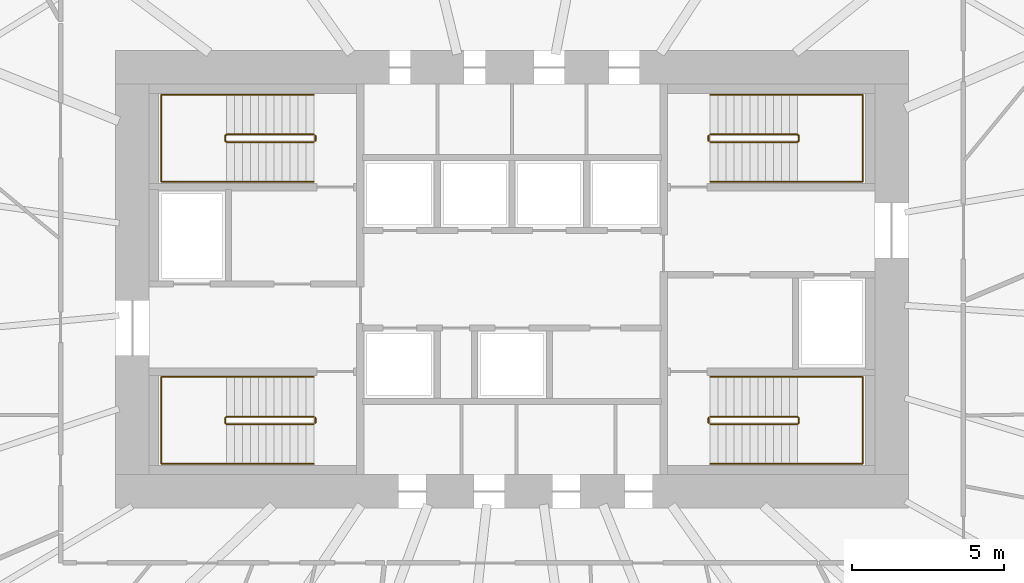
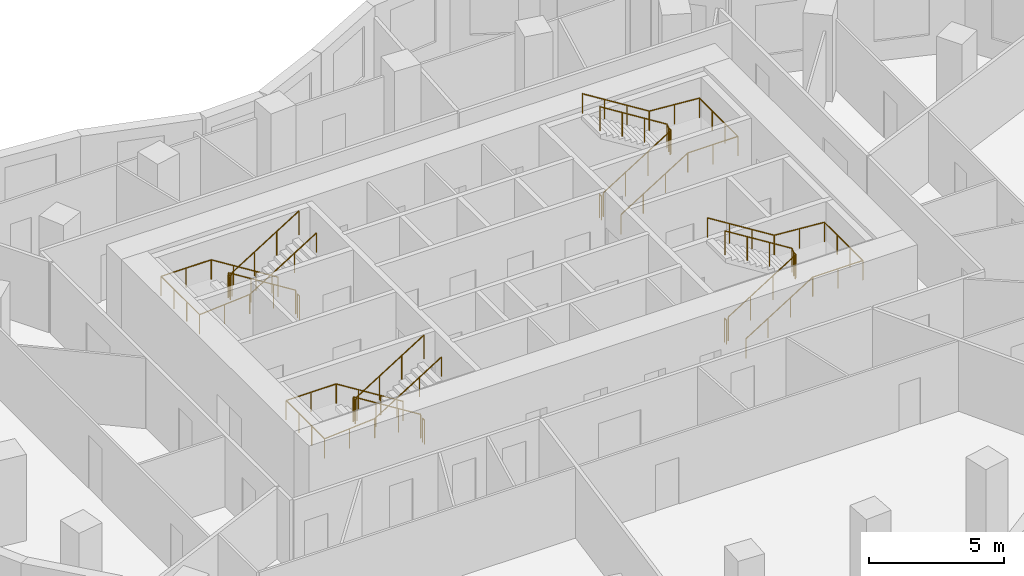
# One storey, part 9 of 9: 12 railings.
"""IFC4 building model written with IfcOpenShell, lengths in metres."""

from ifc_helpers import new_model, si_unit, direction, frame, origin, origin_2d, place, context, subcontext, project, spatial, circle, extrude, material, type_object, element, save


model = new_model("IFC4")

# Units and contexts
model_context = context("Model", 3, precision=1e-05, world=origin(), true_north=direction((0.0, 1.0)))
body_context = subcontext(model_context, "Body", "Model", "MODEL_VIEW")
ifc_project = project(units=[si_unit("LENGTHUNIT", "METRE"), si_unit("AREAUNIT", "SQUARE_METRE"), si_unit("VOLUMEUNIT", "CUBIC_METRE"), si_unit("PLANEANGLEUNIT", "RADIAN"), si_unit("MASSUNIT", "GRAM", prefix="KILO")], contexts=[model_context])

# Site, building, storey
site_placement = place(None, origin())
site = spatial("IfcSite", under=ifc_project, at=site_placement, CompositionType="ELEMENT")
building_placement = place(site_placement, origin())
building = spatial("IfcBuilding", under=site, at=building_placement, Name="Rubra Terraces Tower", CompositionType="ELEMENT")
storey_placement = place(building_placement, frame((0.0, 0.0, 138.300048828125)))
storey = spatial("IfcBuildingStorey", under=building, at=storey_placement, Name="L33", CompositionType="ELEMENT", Elevation=138.300048828125)

# Railings
ifc_material = material(Name="Stainless steel", Category="steel")
railing_type_1 = type_object("IfcRailingType", Name="Core stair guard 1100", PredefinedType="GUARDRAIL", material=ifc_material)
railing_1_placement = place(storey_placement, frame((-6.5, 0.0, 0.162353515625)))
element("IfcRailing", 1, at=railing_1_placement, inside=storey, type_object=railing_type_1, Name="L33 stair S1 guard 1", PredefinedType="GUARDRAIL", context=body_context, shape_type="SweptSolid", body=[
    extrude(circle(Radius=0.02392578125, at=origin_2d()), frame((0.0, 0.0, 1.076171875), z_axis=(-0.847994237388, 0.0, 0.530005446535), x_axis=(0.0, -1.0, 0.0)), (0.0, 0.0, 1.0), 3.372802734375),
    extrude(circle(Radius=0.02392578125, at=origin_2d()), frame((-2.860107421875, 0.0, 2.86376953125), z_axis=(-0.705375805398, -0.708833529934, 0.0), x_axis=(0.708833529934, -0.705375805398, 0.0)), (0.0, 0.0, 1.0), 0.070556640625),
    extrude(circle(Radius=0.02392578125, at=origin_2d()), frame((-2.909912109375, -0.050048828125, 2.86376953125), z_axis=(0.0, -1.0, 0.0), x_axis=(1.0, 0.0, 0.0)), (0.0, 0.0, 1.0), 0.14990234375),
    extrude(circle(Radius=0.02392578125, at=origin_2d()), frame((-2.909912109375, -0.199951171875, 2.86376953125), z_axis=(0.280959487676, -0.282336740067, 0.917250092119), x_axis=(0.708833529934, 0.705375805398, 0.0)), (0.0, 0.0, 1.0), 0.17724609375),
    extrude(circle(Radius=0.02392578125, at=origin_2d()), frame((-2.860107421875, -0.25, 3.0263671875), z_axis=(0.848026770018, 0.0, 0.529953391661), x_axis=(0.0, 1.0, 0.0)), (0.0, 0.0, 1.0), 3.37255859375),
    extrude(circle(Radius=0.02099609375, at=origin_2d()), origin(), (0.0, 0.0, 1.0), 1.052001953125),
    extrude(circle(Radius=0.02099609375, at=origin_2d()), frame((-0.953369140625, 0.0, 0.595947265625)), (0.0, 0.0, 1.0), 1.052001953125),
    extrude(circle(Radius=0.02099609375, at=origin_2d()), frame((-1.90673828125, 0.0, 1.191650390625)), (0.0, 0.0, 1.0), 1.052001953125),
    extrude(circle(Radius=0.02099609375, at=origin_2d()), frame((-2.860107421875, 0.0, 1.78759765625)), (0.0, 0.0, 1.0), 1.052001953125),
    extrude(circle(Radius=0.02099609375, at=origin_2d()), frame((-2.909912109375, -0.050048828125, 1.78759765625)), (0.0, 0.0, 1.0), 1.052001953125),
    extrude(circle(Radius=0.02099609375, at=origin_2d()), frame((-2.909912109375, -0.199951171875, 1.78759765625)), (0.0, 0.0, 1.0), 1.052001953125),
    extrude(circle(Radius=0.02099609375, at=origin_2d()), frame((-2.860107421875, -0.25, 1.9501953125)), (0.0, 0.0, 1.0), 1.052001953125),
    extrude(circle(Radius=0.02099609375, at=origin_2d()), frame((-1.90673828125, -0.25, 2.5458984375)), (0.0, 0.0, 1.0), 1.052001953125),
    extrude(circle(Radius=0.02099609375, at=origin_2d()), frame((-0.953369140625, -0.25, 3.141845703125)), (0.0, 0.0, 1.0), 1.052001953125),
    extrude(circle(Radius=0.02099609375, at=origin_2d()), frame((0.0, -0.25, 3.737548828125)), (0.0, 0.0, 1.0), 1.052001953125),
])
railing_2_placement = place(storey_placement, frame((-6.449951171875, -0.050048828125, 0.0)))
element("IfcRailing", 2, at=railing_2_placement, inside=storey, type_object=railing_type_1, Name="L33 stair S1 guard 2", PredefinedType="GUARDRAIL", context=body_context, shape_type="SweptSolid", body=[
    extrude(circle(Radius=0.02392578125, at=origin_2d()), frame((0.0, 0.0, 1.076171875), z_axis=(0.0, -1.0, 0.0), x_axis=(1.0, 0.0, 0.0)), (0.0, 0.0, 1.0), 0.14990234375),
    extrude(circle(Radius=0.02099609375, at=origin_2d()), origin(), (0.0, 0.0, 1.0), 1.052001953125),
    extrude(circle(Radius=0.02099609375, at=origin_2d()), frame((0.0, -0.14990234375, 0.0)), (0.0, 0.0, 1.0), 1.052001953125),
])
railing_3_placement = place(storey_placement, frame((-6.5, 9.25, 0.162353515625)))
element("IfcRailing", 3, at=railing_3_placement, inside=storey, type_object=railing_type_1, Name="L33 stair S2 guard 1", PredefinedType="GUARDRAIL", context=body_context, shape_type="SweptSolid", body=[
    extrude(circle(Radius=0.02392578125, at=origin_2d()), frame((0.0, 0.0, 1.076171875), z_axis=(-0.847994237388, 0.0, 0.530005446535), x_axis=(0.0, -1.0, 0.0)), (0.0, 0.0, 1.0), 3.372802734375),
    extrude(circle(Radius=0.02392578125, at=origin_2d()), frame((-2.860107421875, 0.0, 2.86376953125), z_axis=(-0.705375805398, -0.708833529934, 0.0), x_axis=(0.708833529934, -0.705375805398, 0.0)), (0.0, 0.0, 1.0), 0.070556640625),
    extrude(circle(Radius=0.02392578125, at=origin_2d()), frame((-2.909912109375, -0.050048828125, 2.86376953125), z_axis=(0.0, -1.0, 0.0), x_axis=(1.0, 0.0, 0.0)), (0.0, 0.0, 1.0), 0.14990234375),
    extrude(circle(Radius=0.02392578125, at=origin_2d()), frame((-2.909912109375, -0.199951171875, 2.86376953125), z_axis=(0.280959487676, -0.282336740067, 0.917250092119), x_axis=(0.708833529934, 0.705375805398, 0.0)), (0.0, 0.0, 1.0), 0.17724609375),
    extrude(circle(Radius=0.02392578125, at=origin_2d()), frame((-2.860107421875, -0.25, 3.0263671875), z_axis=(0.848026770018, 0.0, 0.529953391661), x_axis=(0.0, 1.0, 0.0)), (0.0, 0.0, 1.0), 3.37255859375),
    extrude(circle(Radius=0.02099609375, at=origin_2d()), origin(), (0.0, 0.0, 1.0), 1.052001953125),
    extrude(circle(Radius=0.02099609375, at=origin_2d()), frame((-0.953369140625, 0.0, 0.595947265625)), (0.0, 0.0, 1.0), 1.052001953125),
    extrude(circle(Radius=0.02099609375, at=origin_2d()), frame((-1.90673828125, 0.0, 1.191650390625)), (0.0, 0.0, 1.0), 1.052001953125),
    extrude(circle(Radius=0.02099609375, at=origin_2d()), frame((-2.860107421875, 0.0, 1.78759765625)), (0.0, 0.0, 1.0), 1.052001953125),
    extrude(circle(Radius=0.02099609375, at=origin_2d()), frame((-2.909912109375, -0.050048828125, 1.78759765625)), (0.0, 0.0, 1.0), 1.052001953125),
    extrude(circle(Radius=0.02099609375, at=origin_2d()), frame((-2.909912109375, -0.199951171875, 1.78759765625)), (0.0, 0.0, 1.0), 1.052001953125),
    extrude(circle(Radius=0.02099609375, at=origin_2d()), frame((-2.860107421875, -0.25, 1.9501953125)), (0.0, 0.0, 1.0), 1.052001953125),
    extrude(circle(Radius=0.02099609375, at=origin_2d()), frame((-1.90673828125, -0.25, 2.5458984375)), (0.0, 0.0, 1.0), 1.052001953125),
    extrude(circle(Radius=0.02099609375, at=origin_2d()), frame((-0.953369140625, -0.25, 3.141845703125)), (0.0, 0.0, 1.0), 1.052001953125),
    extrude(circle(Radius=0.02099609375, at=origin_2d()), frame((0.0, -0.25, 3.737548828125)), (0.0, 0.0, 1.0), 1.052001953125),
])
railing_4_placement = place(storey_placement, frame((-6.449951171875, 9.199951171875, 0.0)))
element("IfcRailing", 4, at=railing_4_placement, inside=storey, type_object=railing_type_1, Name="L33 stair S2 guard 2", PredefinedType="GUARDRAIL", context=body_context, shape_type="SweptSolid", body=[
    extrude(circle(Radius=0.02392578125, at=origin_2d()), frame((0.0, 0.0, 1.076171875), z_axis=(0.0, -1.0, 0.0), x_axis=(1.0, 0.0, 0.0)), (0.0, 0.0, 1.0), 0.14990234375),
    extrude(circle(Radius=0.02099609375, at=origin_2d()), origin(), (0.0, 0.0, 1.0), 1.052001953125),
    extrude(circle(Radius=0.02099609375, at=origin_2d()), frame((0.0, -0.14990234375, 0.0)), (0.0, 0.0, 1.0), 1.052001953125),
])
railing_5_placement = place(storey_placement, frame((6.5, 9.0, 0.162353515625)))
element("IfcRailing", 5, at=railing_5_placement, inside=storey, type_object=railing_type_1, Name="L33 stair S3 guard 1", PredefinedType="GUARDRAIL", context=body_context, shape_type="SweptSolid", body=[
    extrude(circle(Radius=0.02392578125, at=origin_2d()), frame((0.0, 0.0, 1.076171875), z_axis=(0.847994237388, 0.0, 0.530005446535), x_axis=(0.0, 1.0, 0.0)), (0.0, 0.0, 1.0), 3.372802734375),
    extrude(circle(Radius=0.02392578125, at=origin_2d()), frame((2.860107421875, 0.0, 2.86376953125), z_axis=(0.705375805398, 0.708833529934, 0.0), x_axis=(-0.708833529934, 0.705375805398, 0.0)), (0.0, 0.0, 1.0), 0.070556640625),
    extrude(circle(Radius=0.02392578125, at=origin_2d()), frame((2.909912109375, 0.050048828125, 2.86376953125), z_axis=(0.0, 1.0, 0.0), x_axis=(-1.0, 0.0, 0.0)), (0.0, 0.0, 1.0), 0.14990234375),
    extrude(circle(Radius=0.02392578125, at=origin_2d()), frame((2.909912109375, 0.199951171875, 2.86376953125), z_axis=(-0.280959487676, 0.282336740067, 0.917250092119), x_axis=(-0.708833529934, -0.705375805398, 0.0)), (0.0, 0.0, 1.0), 0.17724609375),
    extrude(circle(Radius=0.02392578125, at=origin_2d()), frame((2.860107421875, 0.25, 3.0263671875), z_axis=(-0.848026770018, 0.0, 0.529953391661), x_axis=(0.0, -1.0, 0.0)), (0.0, 0.0, 1.0), 3.37255859375),
    extrude(circle(Radius=0.02099609375, at=origin_2d()), origin(), (0.0, 0.0, 1.0), 1.052001953125),
    extrude(circle(Radius=0.02099609375, at=origin_2d()), frame((0.953369140625, 0.0, 0.595947265625)), (0.0, 0.0, 1.0), 1.052001953125),
    extrude(circle(Radius=0.02099609375, at=origin_2d()), frame((1.90673828125, 0.0, 1.191650390625)), (0.0, 0.0, 1.0), 1.052001953125),
    extrude(circle(Radius=0.02099609375, at=origin_2d()), frame((2.860107421875, 0.0, 1.78759765625)), (0.0, 0.0, 1.0), 1.052001953125),
    extrude(circle(Radius=0.02099609375, at=origin_2d()), frame((2.909912109375, 0.050048828125, 1.78759765625)), (0.0, 0.0, 1.0), 1.052001953125),
    extrude(circle(Radius=0.02099609375, at=origin_2d()), frame((2.909912109375, 0.199951171875, 1.78759765625)), (0.0, 0.0, 1.0), 1.052001953125),
    extrude(circle(Radius=0.02099609375, at=origin_2d()), frame((2.860107421875, 0.25, 1.9501953125)), (0.0, 0.0, 1.0), 1.052001953125),
    extrude(circle(Radius=0.02099609375, at=origin_2d()), frame((1.90673828125, 0.25, 2.5458984375)), (0.0, 0.0, 1.0), 1.052001953125),
    extrude(circle(Radius=0.02099609375, at=origin_2d()), frame((0.953369140625, 0.25, 3.141845703125)), (0.0, 0.0, 1.0), 1.052001953125),
    extrude(circle(Radius=0.02099609375, at=origin_2d()), frame((0.0, 0.25, 3.737548828125)), (0.0, 0.0, 1.0), 1.052001953125),
])
railing_6_placement = place(storey_placement, frame((6.449951171875, 9.050048828125, 0.0)))
element("IfcRailing", 6, at=railing_6_placement, inside=storey, type_object=railing_type_1, Name="L33 stair S3 guard 2", PredefinedType="GUARDRAIL", context=body_context, shape_type="SweptSolid", body=[
    extrude(circle(Radius=0.02392578125, at=origin_2d()), frame((0.0, 0.0, 1.076171875), z_axis=(0.0, 1.0, 0.0), x_axis=(-1.0, 0.0, 0.0)), (0.0, 0.0, 1.0), 0.14990234375),
    extrude(circle(Radius=0.02099609375, at=origin_2d()), origin(), (0.0, 0.0, 1.0), 1.052001953125),
    extrude(circle(Radius=0.02099609375, at=origin_2d()), frame((0.0, 0.14990234375, 0.0)), (0.0, 0.0, 1.0), 1.052001953125),
])
railing_7_placement = place(storey_placement, frame((6.5, -0.25, 0.162353515625)))
element("IfcRailing", 7, at=railing_7_placement, inside=storey, type_object=railing_type_1, Name="L33 stair S4 guard 1", PredefinedType="GUARDRAIL", context=body_context, shape_type="SweptSolid", body=[
    extrude(circle(Radius=0.02392578125, at=origin_2d()), frame((0.0, 0.0, 1.076171875), z_axis=(0.847994237388, 0.0, 0.530005446535), x_axis=(0.0, 1.0, 0.0)), (0.0, 0.0, 1.0), 3.372802734375),
    extrude(circle(Radius=0.02392578125, at=origin_2d()), frame((2.860107421875, 0.0, 2.86376953125), z_axis=(0.705375805398, 0.708833529934, 0.0), x_axis=(-0.708833529934, 0.705375805398, 0.0)), (0.0, 0.0, 1.0), 0.070556640625),
    extrude(circle(Radius=0.02392578125, at=origin_2d()), frame((2.909912109375, 0.050048828125, 2.86376953125), z_axis=(0.0, 1.0, 0.0), x_axis=(-1.0, 0.0, 0.0)), (0.0, 0.0, 1.0), 0.14990234375),
    extrude(circle(Radius=0.02392578125, at=origin_2d()), frame((2.909912109375, 0.199951171875, 2.86376953125), z_axis=(-0.280959487676, 0.282336740067, 0.917250092119), x_axis=(-0.708833529934, -0.705375805398, 0.0)), (0.0, 0.0, 1.0), 0.17724609375),
    extrude(circle(Radius=0.02392578125, at=origin_2d()), frame((2.860107421875, 0.25, 3.0263671875), z_axis=(-0.848026770018, 0.0, 0.529953391661), x_axis=(0.0, -1.0, 0.0)), (0.0, 0.0, 1.0), 3.37255859375),
    extrude(circle(Radius=0.02099609375, at=origin_2d()), origin(), (0.0, 0.0, 1.0), 1.052001953125),
    extrude(circle(Radius=0.02099609375, at=origin_2d()), frame((0.953369140625, 0.0, 0.595947265625)), (0.0, 0.0, 1.0), 1.052001953125),
    extrude(circle(Radius=0.02099609375, at=origin_2d()), frame((1.90673828125, 0.0, 1.191650390625)), (0.0, 0.0, 1.0), 1.052001953125),
    extrude(circle(Radius=0.02099609375, at=origin_2d()), frame((2.860107421875, 0.0, 1.78759765625)), (0.0, 0.0, 1.0), 1.052001953125),
    extrude(circle(Radius=0.02099609375, at=origin_2d()), frame((2.909912109375, 0.050048828125, 1.78759765625)), (0.0, 0.0, 1.0), 1.052001953125),
    extrude(circle(Radius=0.02099609375, at=origin_2d()), frame((2.909912109375, 0.199951171875, 1.78759765625)), (0.0, 0.0, 1.0), 1.052001953125),
    extrude(circle(Radius=0.02099609375, at=origin_2d()), frame((2.860107421875, 0.25, 1.9501953125)), (0.0, 0.0, 1.0), 1.052001953125),
    extrude(circle(Radius=0.02099609375, at=origin_2d()), frame((1.90673828125, 0.25, 2.5458984375)), (0.0, 0.0, 1.0), 1.052001953125),
    extrude(circle(Radius=0.02099609375, at=origin_2d()), frame((0.953369140625, 0.25, 3.141845703125)), (0.0, 0.0, 1.0), 1.052001953125),
    extrude(circle(Radius=0.02099609375, at=origin_2d()), frame((0.0, 0.25, 3.737548828125)), (0.0, 0.0, 1.0), 1.052001953125),
])
railing_8_placement = place(storey_placement, frame((6.449951171875, -0.199951171875, 0.0)))
element("IfcRailing", 8, at=railing_8_placement, inside=storey, type_object=railing_type_1, Name="L33 stair S4 guard 2", PredefinedType="GUARDRAIL", context=body_context, shape_type="SweptSolid", body=[
    extrude(circle(Radius=0.02392578125, at=origin_2d()), frame((0.0, 0.0, 1.076171875), z_axis=(0.0, 1.0, 0.0), x_axis=(-1.0, 0.0, 0.0)), (0.0, 0.0, 1.0), 0.14990234375),
    extrude(circle(Radius=0.02099609375, at=origin_2d()), origin(), (0.0, 0.0, 1.0), 1.052001953125),
    extrude(circle(Radius=0.02099609375, at=origin_2d()), frame((0.0, 0.14990234375, 0.0)), (0.0, 0.0, 1.0), 1.052001953125),
])
railing_type_2 = type_object("IfcRailingType", Name="Core stair handrail 900", PredefinedType="HANDRAIL", material=ifc_material)
railing_9_placement = place(storey_placement, frame((-6.5, 1.300048828125, 0.162353515625)))
element("IfcRailing", 9, at=railing_9_placement, inside=storey, type_object=railing_type_2, Name="L33 stair S1 handrail 1", PredefinedType="HANDRAIL", context=body_context, shape_type="SweptSolid", body=[
    extrude(circle(Radius=0.02392578125, at=origin_2d()), frame((0.0, 0.0, 0.8759765625), z_axis=(-0.847994237388, 0.0, 0.530005446535), x_axis=(0.0, -1.0, 0.0)), (0.0, 0.0, 1.0), 3.372802734375),
    extrude(circle(Radius=0.02392578125, at=origin_2d()), frame((-2.860107421875, 0.0, 2.66357421875), z_axis=(-1.0, 0.0, 0.0), x_axis=(0.0, -1.0, 0.0)), (0.0, 0.0, 1.0), 2.139892578125),
    extrude(circle(Radius=0.02392578125, at=origin_2d()), frame((-5.0, 0.0, 2.66357421875), z_axis=(0.0, -1.0, 0.0), x_axis=(1.0, 0.0, 0.0)), (0.0, 0.0, 1.0), 2.85009765625),
    extrude(circle(Radius=0.02392578125, at=origin_2d()), frame((-5.0, -2.85009765625, 2.66357421875), z_axis=(0.997125654253, 0.0, 0.075765623016), x_axis=(0.0, 1.0, 0.0)), (0.0, 0.0, 1.0), 2.14599609375),
    extrude(circle(Radius=0.02392578125, at=origin_2d()), frame((-2.860107421875, -2.85009765625, 2.826171875), z_axis=(0.848026770018, 0.0, 0.529953391661), x_axis=(0.0, 1.0, 0.0)), (0.0, 0.0, 1.0), 3.37255859375),
    extrude(circle(Radius=0.02099609375, at=origin_2d()), origin(), (0.0, 0.0, 1.0), 0.851806640625),
    extrude(circle(Radius=0.02099609375, at=origin_2d()), frame((-0.953369140625, 0.0, 0.595947265625)), (0.0, 0.0, 1.0), 0.851806640625),
    extrude(circle(Radius=0.02099609375, at=origin_2d()), frame((-1.90673828125, 0.0, 1.191650390625)), (0.0, 0.0, 1.0), 0.851806640625),
    extrude(circle(Radius=0.02099609375, at=origin_2d()), frame((-2.860107421875, 0.0, 1.78759765625)), (0.0, 0.0, 1.0), 0.851806640625),
    extrude(circle(Radius=0.02099609375, at=origin_2d()), frame((-3.93017578125, 0.0, 1.78759765625)), (0.0, 0.0, 1.0), 0.851806640625),
    extrude(circle(Radius=0.02099609375, at=origin_2d()), frame((-5.0, 0.0, 1.78759765625)), (0.0, 0.0, 1.0), 0.851806640625),
    extrude(circle(Radius=0.02099609375, at=origin_2d()), frame((-5.0, -0.949951171875, 1.78759765625)), (0.0, 0.0, 1.0), 0.851806640625),
    extrude(circle(Radius=0.02099609375, at=origin_2d()), frame((-5.0, -1.900146484375, 1.78759765625)), (0.0, 0.0, 1.0), 0.851806640625),
    extrude(circle(Radius=0.02099609375, at=origin_2d()), frame((-5.0, -2.85009765625, 1.78759765625)), (0.0, 0.0, 1.0), 0.851806640625),
    extrude(circle(Radius=0.02099609375, at=origin_2d()), frame((-3.93017578125, -2.85009765625, 1.868896484375)), (0.0, 0.0, 1.0), 0.851806640625),
    extrude(circle(Radius=0.02099609375, at=origin_2d()), frame((-2.860107421875, -2.85009765625, 1.9501953125)), (0.0, 0.0, 1.0), 0.851806640625),
    extrude(circle(Radius=0.02099609375, at=origin_2d()), frame((-1.90673828125, -2.85009765625, 2.5458984375)), (0.0, 0.0, 1.0), 0.851806640625),
    extrude(circle(Radius=0.02099609375, at=origin_2d()), frame((-0.953369140625, -2.85009765625, 3.141845703125)), (0.0, 0.0, 1.0), 0.851806640625),
    extrude(circle(Radius=0.02099609375, at=origin_2d()), frame((0.0, -2.85009765625, 3.737548828125)), (0.0, 0.0, 1.0), 0.851806640625),
])
railing_10_placement = place(storey_placement, frame((-6.5, 10.550048828125, 0.162353515625)))
element("IfcRailing", 10, at=railing_10_placement, inside=storey, type_object=railing_type_2, Name="L33 stair S2 handrail 1", PredefinedType="HANDRAIL", context=body_context, shape_type="SweptSolid", body=[
    extrude(circle(Radius=0.02392578125, at=origin_2d()), frame((0.0, 0.0, 0.8759765625), z_axis=(-0.847994237388, 0.0, 0.530005446535), x_axis=(0.0, -1.0, 0.0)), (0.0, 0.0, 1.0), 3.372802734375),
    extrude(circle(Radius=0.02392578125, at=origin_2d()), frame((-2.860107421875, 0.0, 2.66357421875), z_axis=(-1.0, 0.0, 0.0), x_axis=(0.0, -1.0, 0.0)), (0.0, 0.0, 1.0), 2.139892578125),
    extrude(circle(Radius=0.02392578125, at=origin_2d()), frame((-5.0, 0.0, 2.66357421875), z_axis=(0.0, -1.0, 0.0), x_axis=(1.0, 0.0, 0.0)), (0.0, 0.0, 1.0), 2.85009765625),
    extrude(circle(Radius=0.02392578125, at=origin_2d()), frame((-5.0, -2.85009765625, 2.66357421875), z_axis=(0.997125654253, 0.0, 0.075765623016), x_axis=(0.0, 1.0, 0.0)), (0.0, 0.0, 1.0), 2.14599609375),
    extrude(circle(Radius=0.02392578125, at=origin_2d()), frame((-2.860107421875, -2.85009765625, 2.826171875), z_axis=(0.848026770018, 0.0, 0.529953391661), x_axis=(0.0, 1.0, 0.0)), (0.0, 0.0, 1.0), 3.37255859375),
    extrude(circle(Radius=0.02099609375, at=origin_2d()), origin(), (0.0, 0.0, 1.0), 0.851806640625),
    extrude(circle(Radius=0.02099609375, at=origin_2d()), frame((-0.953369140625, 0.0, 0.595947265625)), (0.0, 0.0, 1.0), 0.851806640625),
    extrude(circle(Radius=0.02099609375, at=origin_2d()), frame((-1.90673828125, 0.0, 1.191650390625)), (0.0, 0.0, 1.0), 0.851806640625),
    extrude(circle(Radius=0.02099609375, at=origin_2d()), frame((-2.860107421875, 0.0, 1.78759765625)), (0.0, 0.0, 1.0), 0.851806640625),
    extrude(circle(Radius=0.02099609375, at=origin_2d()), frame((-3.93017578125, 0.0, 1.78759765625)), (0.0, 0.0, 1.0), 0.851806640625),
    extrude(circle(Radius=0.02099609375, at=origin_2d()), frame((-5.0, 0.0, 1.78759765625)), (0.0, 0.0, 1.0), 0.851806640625),
    extrude(circle(Radius=0.02099609375, at=origin_2d()), frame((-5.0, -0.949951171875, 1.78759765625)), (0.0, 0.0, 1.0), 0.851806640625),
    extrude(circle(Radius=0.02099609375, at=origin_2d()), frame((-5.0, -1.900146484375, 1.78759765625)), (0.0, 0.0, 1.0), 0.851806640625),
    extrude(circle(Radius=0.02099609375, at=origin_2d()), frame((-5.0, -2.85009765625, 1.78759765625)), (0.0, 0.0, 1.0), 0.851806640625),
    extrude(circle(Radius=0.02099609375, at=origin_2d()), frame((-3.93017578125, -2.85009765625, 1.868896484375)), (0.0, 0.0, 1.0), 0.851806640625),
    extrude(circle(Radius=0.02099609375, at=origin_2d()), frame((-2.860107421875, -2.85009765625, 1.9501953125)), (0.0, 0.0, 1.0), 0.851806640625),
    extrude(circle(Radius=0.02099609375, at=origin_2d()), frame((-1.90673828125, -2.85009765625, 2.5458984375)), (0.0, 0.0, 1.0), 0.851806640625),
    extrude(circle(Radius=0.02099609375, at=origin_2d()), frame((-0.953369140625, -2.85009765625, 3.141845703125)), (0.0, 0.0, 1.0), 0.851806640625),
    extrude(circle(Radius=0.02099609375, at=origin_2d()), frame((0.0, -2.85009765625, 3.737548828125)), (0.0, 0.0, 1.0), 0.851806640625),
])
railing_11_placement = place(storey_placement, frame((6.5, 7.699951171875, 0.162353515625)))
element("IfcRailing", 11, at=railing_11_placement, inside=storey, type_object=railing_type_2, Name="L33 stair S3 handrail 1", PredefinedType="HANDRAIL", context=body_context, shape_type="SweptSolid", body=[
    extrude(circle(Radius=0.02392578125, at=origin_2d()), frame((0.0, 0.0, 0.8759765625), z_axis=(0.847994237388, 0.0, 0.530005446535), x_axis=(0.0, 1.0, 0.0)), (0.0, 0.0, 1.0), 3.372802734375),
    extrude(circle(Radius=0.02392578125, at=origin_2d()), frame((2.860107421875, 0.0, 2.66357421875), z_axis=(1.0, 0.0, 0.0), x_axis=(0.0, 1.0, 0.0)), (0.0, 0.0, 1.0), 2.139892578125),
    extrude(circle(Radius=0.02392578125, at=origin_2d()), frame((5.0, 0.0, 2.66357421875), z_axis=(0.0, 1.0, 0.0), x_axis=(-1.0, 0.0, 0.0)), (0.0, 0.0, 1.0), 2.85009765625),
    extrude(circle(Radius=0.02392578125, at=origin_2d()), frame((5.0, 2.85009765625, 2.66357421875), z_axis=(-0.997125654253, 0.0, 0.075765623016), x_axis=(0.0, -1.0, 0.0)), (0.0, 0.0, 1.0), 2.14599609375),
    extrude(circle(Radius=0.02392578125, at=origin_2d()), frame((2.860107421875, 2.85009765625, 2.826171875), z_axis=(-0.848026770018, 0.0, 0.529953391661), x_axis=(0.0, -1.0, 0.0)), (0.0, 0.0, 1.0), 3.37255859375),
    extrude(circle(Radius=0.02099609375, at=origin_2d()), origin(), (0.0, 0.0, 1.0), 0.851806640625),
    extrude(circle(Radius=0.02099609375, at=origin_2d()), frame((0.953369140625, 0.0, 0.595947265625)), (0.0, 0.0, 1.0), 0.851806640625),
    extrude(circle(Radius=0.02099609375, at=origin_2d()), frame((1.90673828125, 0.0, 1.191650390625)), (0.0, 0.0, 1.0), 0.851806640625),
    extrude(circle(Radius=0.02099609375, at=origin_2d()), frame((2.860107421875, 0.0, 1.78759765625)), (0.0, 0.0, 1.0), 0.851806640625),
    extrude(circle(Radius=0.02099609375, at=origin_2d()), frame((3.93017578125, 0.0, 1.78759765625)), (0.0, 0.0, 1.0), 0.851806640625),
    extrude(circle(Radius=0.02099609375, at=origin_2d()), frame((5.0, 0.0, 1.78759765625)), (0.0, 0.0, 1.0), 0.851806640625),
    extrude(circle(Radius=0.02099609375, at=origin_2d()), frame((5.0, 0.949951171875, 1.78759765625)), (0.0, 0.0, 1.0), 0.851806640625),
    extrude(circle(Radius=0.02099609375, at=origin_2d()), frame((5.0, 1.900146484375, 1.78759765625)), (0.0, 0.0, 1.0), 0.851806640625),
    extrude(circle(Radius=0.02099609375, at=origin_2d()), frame((5.0, 2.85009765625, 1.78759765625)), (0.0, 0.0, 1.0), 0.851806640625),
    extrude(circle(Radius=0.02099609375, at=origin_2d()), frame((3.93017578125, 2.85009765625, 1.868896484375)), (0.0, 0.0, 1.0), 0.851806640625),
    extrude(circle(Radius=0.02099609375, at=origin_2d()), frame((2.860107421875, 2.85009765625, 1.9501953125)), (0.0, 0.0, 1.0), 0.851806640625),
    extrude(circle(Radius=0.02099609375, at=origin_2d()), frame((1.90673828125, 2.85009765625, 2.5458984375)), (0.0, 0.0, 1.0), 0.851806640625),
    extrude(circle(Radius=0.02099609375, at=origin_2d()), frame((0.953369140625, 2.85009765625, 3.141845703125)), (0.0, 0.0, 1.0), 0.851806640625),
    extrude(circle(Radius=0.02099609375, at=origin_2d()), frame((0.0, 2.85009765625, 3.737548828125)), (0.0, 0.0, 1.0), 0.851806640625),
])
railing_12_placement = place(storey_placement, frame((6.5, -1.550048828125, 0.162353515625)))
element("IfcRailing", 12, at=railing_12_placement, inside=storey, type_object=railing_type_2, Name="L33 stair S4 handrail 1", PredefinedType="HANDRAIL", context=body_context, shape_type="SweptSolid", body=[
    extrude(circle(Radius=0.02392578125, at=origin_2d()), frame((0.0, 0.0, 0.8759765625), z_axis=(0.847994237388, 0.0, 0.530005446535), x_axis=(0.0, 1.0, 0.0)), (0.0, 0.0, 1.0), 3.372802734375),
    extrude(circle(Radius=0.02392578125, at=origin_2d()), frame((2.860107421875, 0.0, 2.66357421875), z_axis=(1.0, 0.0, 0.0), x_axis=(0.0, 1.0, 0.0)), (0.0, 0.0, 1.0), 2.139892578125),
    extrude(circle(Radius=0.02392578125, at=origin_2d()), frame((5.0, 0.0, 2.66357421875), z_axis=(0.0, 1.0, 0.0), x_axis=(-1.0, 0.0, 0.0)), (0.0, 0.0, 1.0), 2.85009765625),
    extrude(circle(Radius=0.02392578125, at=origin_2d()), frame((5.0, 2.85009765625, 2.66357421875), z_axis=(-0.997125654253, 0.0, 0.075765623016), x_axis=(0.0, -1.0, 0.0)), (0.0, 0.0, 1.0), 2.14599609375),
    extrude(circle(Radius=0.02392578125, at=origin_2d()), frame((2.860107421875, 2.85009765625, 2.826171875), z_axis=(-0.848026770018, 0.0, 0.529953391661), x_axis=(0.0, -1.0, 0.0)), (0.0, 0.0, 1.0), 3.37255859375),
    extrude(circle(Radius=0.02099609375, at=origin_2d()), origin(), (0.0, 0.0, 1.0), 0.851806640625),
    extrude(circle(Radius=0.02099609375, at=origin_2d()), frame((0.953369140625, 0.0, 0.595947265625)), (0.0, 0.0, 1.0), 0.851806640625),
    extrude(circle(Radius=0.02099609375, at=origin_2d()), frame((1.90673828125, 0.0, 1.191650390625)), (0.0, 0.0, 1.0), 0.851806640625),
    extrude(circle(Radius=0.02099609375, at=origin_2d()), frame((2.860107421875, 0.0, 1.78759765625)), (0.0, 0.0, 1.0), 0.851806640625),
    extrude(circle(Radius=0.02099609375, at=origin_2d()), frame((3.93017578125, 0.0, 1.78759765625)), (0.0, 0.0, 1.0), 0.851806640625),
    extrude(circle(Radius=0.02099609375, at=origin_2d()), frame((5.0, 0.0, 1.78759765625)), (0.0, 0.0, 1.0), 0.851806640625),
    extrude(circle(Radius=0.02099609375, at=origin_2d()), frame((5.0, 0.949951171875, 1.78759765625)), (0.0, 0.0, 1.0), 0.851806640625),
    extrude(circle(Radius=0.02099609375, at=origin_2d()), frame((5.0, 1.900146484375, 1.78759765625)), (0.0, 0.0, 1.0), 0.851806640625),
    extrude(circle(Radius=0.02099609375, at=origin_2d()), frame((5.0, 2.85009765625, 1.78759765625)), (0.0, 0.0, 1.0), 0.851806640625),
    extrude(circle(Radius=0.02099609375, at=origin_2d()), frame((3.93017578125, 2.85009765625, 1.868896484375)), (0.0, 0.0, 1.0), 0.851806640625),
    extrude(circle(Radius=0.02099609375, at=origin_2d()), frame((2.860107421875, 2.85009765625, 1.9501953125)), (0.0, 0.0, 1.0), 0.851806640625),
    extrude(circle(Radius=0.02099609375, at=origin_2d()), frame((1.90673828125, 2.85009765625, 2.5458984375)), (0.0, 0.0, 1.0), 0.851806640625),
    extrude(circle(Radius=0.02099609375, at=origin_2d()), frame((0.953369140625, 2.85009765625, 3.141845703125)), (0.0, 0.0, 1.0), 0.851806640625),
    extrude(circle(Radius=0.02099609375, at=origin_2d()), frame((0.0, 2.85009765625, 3.737548828125)), (0.0, 0.0, 1.0), 0.851806640625),
])

save(model, "model.ifc")
